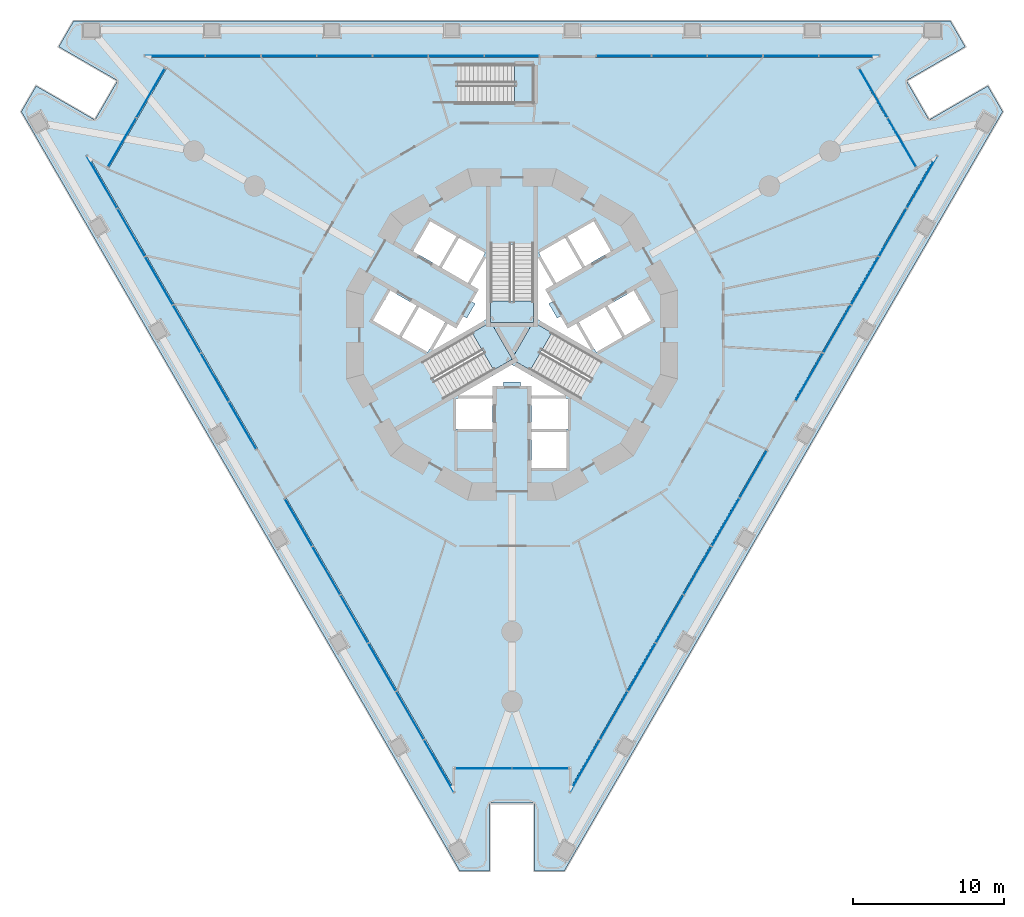
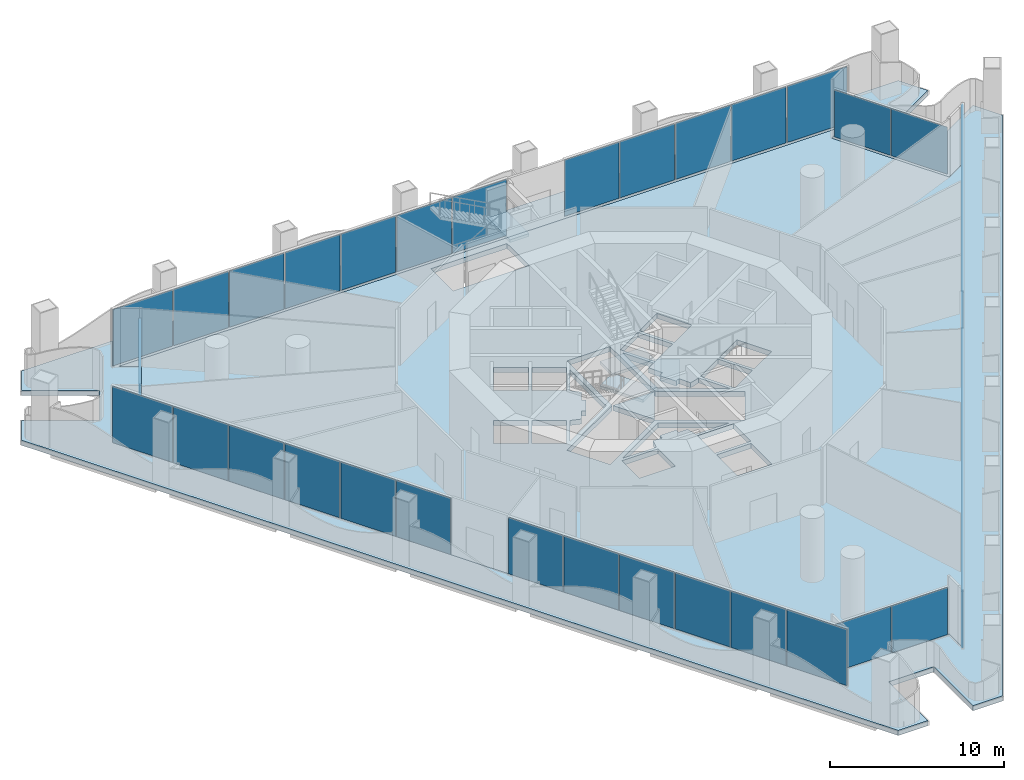
# One storey, part 9 of 21: 42 plates, 7 slabs, 13 elements without a shape of their own.
"""IFC4 building model written with IfcOpenShell, lengths in metres."""

from ifc_helpers import new_model, si_unit, direction, frame, origin, origin_2d, place, context, subcontext, project, spatial, polyline, rectangle, outline, extrude, material, layer, layer_set, type_object, element, aggregate, save


model = new_model("IFC4")

# Units and contexts
model_context = context("Model", 3, precision=1e-05, world=origin(), true_north=direction((0.0, 1.0)))
body_context = subcontext(model_context, "Body", "Model", "MODEL_VIEW")
ifc_project = project(units=[si_unit("LENGTHUNIT", "METRE"), si_unit("AREAUNIT", "SQUARE_METRE"), si_unit("VOLUMEUNIT", "CUBIC_METRE"), si_unit("PLANEANGLEUNIT", "RADIAN"), si_unit("MASSUNIT", "GRAM", prefix="KILO")], contexts=[model_context])

# Site, building, storey
site_placement = place(None, origin())
site = spatial("IfcSite", under=ifc_project, at=site_placement, CompositionType="ELEMENT")
building_placement = place(site_placement, origin())
building = spatial("IfcBuilding", under=site, at=building_placement, Name="Trine Commons Tower", CompositionType="ELEMENT")
storey_placement = place(building_placement, frame((0.0, 0.0, 13.5)))
storey = spatial("IfcBuildingStorey", under=building, at=storey_placement, Name="L02", CompositionType="ELEMENT", Elevation=13.5)

# Curtain wall, plates
ifc_material_1 = material(Name="Corner pocket glazing: anodised aluminium frame with low-emissivity double glazed unit, laminated", Category="aluminium")
ifc_layer_1 = layer(ifc_material_1, 0.179931640625)
ifc_layer_set_1 = layer_set([ifc_layer_1], Name="Corner pocket glazing: anodised aluminium frame with low-emissivity double glazed unit, laminated")
curtain_wall_type_1 = type_object("IfcCurtainWallType", Name="Corner pocket glazing curtain wall CW8", PredefinedType="NOTDEFINED", material=ifc_layer_set_1)
curtain_wall_1_placement = place(storey_placement, origin())
curtain_wall_1 = element("IfcCurtainWall", 1, at=curtain_wall_1_placement, inside=storey, type_object=curtain_wall_type_1, Name="Corner pocket glazing L02 P1.1", PredefinedType="NOTDEFINED")
ifc_material_2 = material(Name="Low-emissivity double glazed unit, laminated")
ifc_layer_2 = layer(ifc_material_2, 0.030029296875)
ifc_layer_set_2 = layer_set([ifc_layer_2], Name="Low-emissivity double glazed unit, laminated")
plate_type_1 = type_object("IfcPlateType", Name="Double glazed unit 30 mm (corner pockets)", PredefinedType="CURTAIN_PANEL", material=ifc_layer_set_2)
plate_1_placement = place(storey_placement, frame((54.15185546875, 75.248291015625, 0.08984375), z_axis=(0.0, 0.0, 1.0), x_axis=(0.5, 0.866025403784, 0.0)))
plate_1 = element("IfcPlate", 2, at=plate_1_placement, type_object=plate_type_1, Name="CW8 panel 1.1", PredefinedType="CURTAIN_PANEL", context=body_context, shape_type="SweptSolid", body=[
    extrude(rectangle(XDim=3.702392578125, YDim=0.030029296875, at=origin_2d()), origin(), (0.0, 0.0, 1.0), 3.300048828125),
])
plate_2_placement = place(storey_placement, frame((56.03564453125, 78.510986328125, 0.08984375), z_axis=(0.0, 0.0, 1.0), x_axis=(0.5, 0.866025403784, 0.0)))
plate_2 = element("IfcPlate", 3, at=plate_2_placement, type_object=plate_type_1, Name="CW8 panel 2.1", PredefinedType="CURTAIN_PANEL", context=body_context, shape_type="SweptSolid", body=[
    extrude(rectangle(XDim=3.702392578125, YDim=0.030029296875, at=origin_2d()), origin(), (0.0, 0.0, 1.0), 3.300048828125),
])
aggregate(curtain_wall_1, [plate_1, plate_2])

curtain_wall_2_placement = place(storey_placement, origin())
curtain_wall_2 = element("IfcCurtainWall", 4, at=curtain_wall_2_placement, inside=storey, type_object=curtain_wall_type_1, Name="Corner pocket glazing L02 P2.1", PredefinedType="NOTDEFINED")
plate_3_placement = place(storey_placement, frame((103.96435546875, 78.510986328125, 0.08984375), z_axis=(0.0, 0.0, 1.0), x_axis=(0.5, -0.866025403784, 0.0)))
plate_3 = element("IfcPlate", 5, at=plate_3_placement, type_object=plate_type_1, Name="CW8 panel 1.1", PredefinedType="CURTAIN_PANEL", context=body_context, shape_type="SweptSolid", body=[
    extrude(rectangle(XDim=3.702392578125, YDim=0.030029296875, at=origin_2d()), origin(), (0.0, 0.0, 1.0), 3.300048828125),
])
plate_4_placement = place(storey_placement, frame((105.84814453125, 75.248291015625, 0.08984375), z_axis=(0.0, 0.0, 1.0), x_axis=(0.5, -0.866025403784, 0.0)))
plate_4 = element("IfcPlate", 6, at=plate_4_placement, type_object=plate_type_1, Name="CW8 panel 2.1", PredefinedType="CURTAIN_PANEL", context=body_context, shape_type="SweptSolid", body=[
    extrude(rectangle(XDim=3.702392578125, YDim=0.030029296875, at=origin_2d()), origin(), (0.0, 0.0, 1.0), 3.300048828125),
])
aggregate(curtain_wall_2, [plate_3, plate_4])

curtain_wall_3_placement = place(storey_placement, origin())
curtain_wall_3 = element("IfcCurtainWall", 7, at=curtain_wall_3_placement, inside=storey, type_object=curtain_wall_type_1, Name="Corner pocket glazing L02 P3.1", PredefinedType="NOTDEFINED")
plate_5_placement = place(storey_placement, frame((81.8837890625, 33.74072265625, 0.08984375), z_axis=(0.0, 0.0, 1.0), x_axis=(-1.0, 0.0, 0.0)))
plate_5 = element("IfcPlate", 8, at=plate_5_placement, type_object=plate_type_1, Name="CW8 panel 1.1", PredefinedType="CURTAIN_PANEL", context=body_context, shape_type="SweptSolid", body=[
    extrude(rectangle(XDim=3.702392578125, YDim=0.030029296875, at=origin_2d()), origin(), (0.0, 0.0, 1.0), 3.300048828125),
])
plate_6_placement = place(storey_placement, frame((78.1162109375, 33.74072265625, 0.08984375), z_axis=(0.0, 0.0, 1.0), x_axis=(-1.0, 0.0, 0.0)))
plate_6 = element("IfcPlate", 9, at=plate_6_placement, type_object=plate_type_1, Name="CW8 panel 2.1", PredefinedType="CURTAIN_PANEL", context=body_context, shape_type="SweptSolid", body=[
    extrude(rectangle(XDim=3.702392578125, YDim=0.030029296875, at=origin_2d()), origin(), (0.0, 0.0, 1.0), 3.300048828125),
])
aggregate(curtain_wall_3, [plate_5, plate_6])

ifc_material_3 = material(Name="Podium glazing: anodised aluminium frame with low-emissivity double glazed unit", Category="aluminium")
ifc_layer_3 = layer(ifc_material_3, 0.199951171875)
ifc_layer_set_3 = layer_set([ifc_layer_3], Name="Podium glazing: anodised aluminium frame with low-emissivity double glazed unit")
curtain_wall_type_2 = type_object("IfcCurtainWallType", Name="Podium glazing curtain wall CW3", PredefinedType="NOTDEFINED", material=ifc_layer_set_3)
curtain_wall_4_placement = place(storey_placement, origin())
curtain_wall_4 = element("IfcCurtainWall", 10, at=curtain_wall_4_placement, inside=storey, type_object=curtain_wall_type_2, Name="Podium glazing L02 F1.1", PredefinedType="NOTDEFINED")
ifc_material_4 = material(Name="Low-emissivity double glazed unit")
ifc_layer_4 = layer(ifc_material_4, 0.031982421875)
ifc_layer_set_4 = layer_set([ifc_layer_4], Name="Low-emissivity double glazed unit")
plate_type_2 = type_object("IfcPlateType", Name="Double glazed unit 32 mm", PredefinedType="CURTAIN_PANEL", material=ifc_layer_set_4)
plate_7_placement = place(storey_placement, frame((57.638427734375, 80.984619140625, 0.10009765625), z_axis=(0.0, 0.0, 1.0), x_axis=(1.0, 0.0, 0.0)))
plate_7 = element("IfcPlate", 11, at=plate_7_placement, type_object=plate_type_2, Name="CW3 panel 1.1", PredefinedType="CURTAIN_PANEL", context=body_context, shape_type="SweptSolid", body=[
    extrude(rectangle(XDim=3.959716796875, YDim=0.031982421875, at=origin_2d()), origin(), (0.0, 0.0, 1.0), 3.949951171875),
])
plate_8_placement = place(storey_placement, frame((61.50537109375, 80.984619140625, 0.10009765625), z_axis=(0.0, 0.0, 1.0), x_axis=(1.0, 0.0, 0.0)))
plate_8 = element("IfcPlate", 12, at=plate_8_placement, type_object=plate_type_2, Name="CW3 panel 2.1", PredefinedType="CURTAIN_PANEL", context=body_context, shape_type="SweptSolid", body=[
    extrude(rectangle(XDim=3.623779296875, YDim=0.031982421875, at=origin_2d()), origin(), (0.0, 0.0, 1.0), 3.949951171875),
])
plate_9_placement = place(storey_placement, frame((65.2041015625, 80.984619140625, 0.10009765625), z_axis=(0.0, 0.0, 1.0), x_axis=(1.0, 0.0, 0.0)))
plate_9 = element("IfcPlate", 13, at=plate_9_placement, type_object=plate_type_2, Name="CW3 panel 3.1", PredefinedType="CURTAIN_PANEL", context=body_context, shape_type="SweptSolid", body=[
    extrude(rectangle(XDim=3.623779296875, YDim=0.031982421875, at=origin_2d()), origin(), (0.0, 0.0, 1.0), 3.949951171875),
])
plate_10_placement = place(storey_placement, frame((68.903076171875, 80.984619140625, 0.10009765625), z_axis=(0.0, 0.0, 1.0), x_axis=(1.0, 0.0, 0.0)))
plate_10 = element("IfcPlate", 14, at=plate_10_placement, type_object=plate_type_2, Name="CW3 panel 4.1", PredefinedType="CURTAIN_PANEL", context=body_context, shape_type="SweptSolid", body=[
    extrude(rectangle(XDim=3.623779296875, YDim=0.031982421875, at=origin_2d()), origin(), (0.0, 0.0, 1.0), 3.949951171875),
])
plate_11_placement = place(storey_placement, frame((72.60205078125, 80.984619140625, 0.10009765625), z_axis=(0.0, 0.0, 1.0), x_axis=(1.0, 0.0, 0.0)))
plate_11 = element("IfcPlate", 15, at=plate_11_placement, type_object=plate_type_2, Name="CW3 panel 5.1", PredefinedType="CURTAIN_PANEL", context=body_context, shape_type="SweptSolid", body=[
    extrude(rectangle(XDim=3.623779296875, YDim=0.031982421875, at=origin_2d()), origin(), (0.0, 0.0, 1.0), 3.949951171875),
])
plate_12_placement = place(storey_placement, frame((76.30078125, 80.984619140625, 0.10009765625), z_axis=(0.0, 0.0, 1.0), x_axis=(1.0, 0.0, 0.0)))
plate_12 = element("IfcPlate", 16, at=plate_12_placement, type_object=plate_type_2, Name="CW3 panel 6.1", PredefinedType="CURTAIN_PANEL", context=body_context, shape_type="SweptSolid", body=[
    extrude(rectangle(XDim=3.623779296875, YDim=0.031982421875, at=origin_2d()), origin(), (0.0, 0.0, 1.0), 3.949951171875),
])
plate_13_placement = place(storey_placement, frame((79.98095703125, 80.984619140625, 0.10009765625), z_axis=(0.0, 0.0, 1.0), x_axis=(1.0, 0.0, 0.0)))
plate_13 = element("IfcPlate", 17, at=plate_13_placement, type_object=plate_type_2, Name="CW3 panel 7.1", PredefinedType="CURTAIN_PANEL", context=body_context, shape_type="SweptSolid", body=[
    extrude(rectangle(XDim=3.58642578125, YDim=0.031982421875, at=origin_2d()), origin(), (0.0, 0.0, 1.0), 3.949951171875),
])
aggregate(curtain_wall_4, [plate_7, plate_8, plate_9, plate_10, plate_11, plate_12, plate_13])

curtain_wall_5_placement = place(storey_placement, origin())
curtain_wall_5 = element("IfcCurtainWall", 18, at=curtain_wall_5_placement, inside=storey, type_object=curtain_wall_type_2, Name="Podium glazing L02 F1.2", PredefinedType="NOTDEFINED")
plate_14_placement = place(storey_placement, frame((87.416259765625, 80.984619140625, 0.10009765625), z_axis=(0.0, 0.0, 1.0), x_axis=(1.0, 0.0, 0.0)))
plate_14 = element("IfcPlate", 19, at=plate_14_placement, type_object=plate_type_2, Name="CW3 panel 1.1", PredefinedType="CURTAIN_PANEL", context=body_context, shape_type="SweptSolid", body=[
    extrude(rectangle(XDim=3.58642578125, YDim=0.031982421875, at=origin_2d()), origin(), (0.0, 0.0, 1.0), 3.949951171875),
])
plate_15_placement = place(storey_placement, frame((91.096435546875, 80.984619140625, 0.10009765625), z_axis=(0.0, 0.0, 1.0), x_axis=(1.0, 0.0, 0.0)))
plate_15 = element("IfcPlate", 20, at=plate_15_placement, type_object=plate_type_2, Name="CW3 panel 2.1", PredefinedType="CURTAIN_PANEL", context=body_context, shape_type="SweptSolid", body=[
    extrude(rectangle(XDim=3.623779296875, YDim=0.031982421875, at=origin_2d()), origin(), (0.0, 0.0, 1.0), 3.949951171875),
])
plate_16_placement = place(storey_placement, frame((94.79541015625, 80.984619140625, 0.10009765625), z_axis=(0.0, 0.0, 1.0), x_axis=(1.0, 0.0, 0.0)))
plate_16 = element("IfcPlate", 21, at=plate_16_placement, type_object=plate_type_2, Name="CW3 panel 3.1", PredefinedType="CURTAIN_PANEL", context=body_context, shape_type="SweptSolid", body=[
    extrude(rectangle(XDim=3.623779296875, YDim=0.031982421875, at=origin_2d()), origin(), (0.0, 0.0, 1.0), 3.949951171875),
])
plate_17_placement = place(storey_placement, frame((98.494384765625, 80.984619140625, 0.10009765625), z_axis=(0.0, 0.0, 1.0), x_axis=(1.0, 0.0, 0.0)))
plate_17 = element("IfcPlate", 22, at=plate_17_placement, type_object=plate_type_2, Name="CW3 panel 4.1", PredefinedType="CURTAIN_PANEL", context=body_context, shape_type="SweptSolid", body=[
    extrude(rectangle(XDim=3.623779296875, YDim=0.031982421875, at=origin_2d()), origin(), (0.0, 0.0, 1.0), 3.949951171875),
])
plate_18_placement = place(storey_placement, frame((102.361328125, 80.984619140625, 0.10009765625), z_axis=(0.0, 0.0, 1.0), x_axis=(1.0, 0.0, 0.0)))
plate_18 = element("IfcPlate", 23, at=plate_18_placement, type_object=plate_type_2, Name="CW3 panel 5.1", PredefinedType="CURTAIN_PANEL", context=body_context, shape_type="SweptSolid", body=[
    extrude(rectangle(XDim=3.960205078125, YDim=0.031982421875, at=origin_2d()), origin(), (0.0, 0.0, 1.0), 3.949951171875),
])
aggregate(curtain_wall_5, [plate_14, plate_15, plate_16, plate_17, plate_18])

curtain_wall_6_placement = place(storey_placement, origin())
curtain_wall_6 = element("IfcCurtainWall", 24, at=curtain_wall_6_placement, inside=storey, type_object=curtain_wall_type_2, Name="Podium glazing L02 F2.1", PredefinedType="NOTDEFINED")
plate_19_placement = place(storey_placement, frame((107.18896484375, 72.623291015625, 0.10009765625), z_axis=(0.0, 0.0, 1.0), x_axis=(-0.5, -0.866025403784, 0.0)))
plate_19 = element("IfcPlate", 25, at=plate_19_placement, type_object=plate_type_2, Name="CW3 panel 1.1", PredefinedType="CURTAIN_PANEL", context=body_context, shape_type="SweptSolid", body=[
    extrude(rectangle(XDim=3.959716796875, YDim=0.031982421875, at=origin_2d()), origin(), (0.0, 0.0, 1.0), 3.949951171875),
])
plate_20_placement = place(storey_placement, frame((105.255615234375, 69.274658203125, 0.10009765625), z_axis=(0.0, 0.0, 1.0), x_axis=(-0.5, -0.866025403784, 0.0)))
plate_20 = element("IfcPlate", 26, at=plate_20_placement, type_object=plate_type_2, Name="CW3 panel 2.1", PredefinedType="CURTAIN_PANEL", context=body_context, shape_type="SweptSolid", body=[
    extrude(rectangle(XDim=3.623779296875, YDim=0.031982421875, at=origin_2d()), origin(), (0.0, 0.0, 1.0), 3.949951171875),
])
plate_21_placement = place(storey_placement, frame((103.406005859375, 66.0712890625, 0.10009765625), z_axis=(0.0, 0.0, 1.0), x_axis=(-0.5, -0.866025403784, 0.0)))
plate_21 = element("IfcPlate", 27, at=plate_21_placement, type_object=plate_type_2, Name="CW3 panel 3.1", PredefinedType="CURTAIN_PANEL", context=body_context, shape_type="SweptSolid", body=[
    extrude(rectangle(XDim=3.623779296875, YDim=0.031982421875, at=origin_2d()), origin(), (0.0, 0.0, 1.0), 3.949951171875),
])
plate_22_placement = place(storey_placement, frame((101.556640625, 62.867919921875, 0.10009765625), z_axis=(0.0, 0.0, 1.0), x_axis=(-0.5, -0.866025403784, 0.0)))
plate_22 = element("IfcPlate", 28, at=plate_22_placement, type_object=plate_type_2, Name="CW3 panel 4.1", PredefinedType="CURTAIN_PANEL", context=body_context, shape_type="SweptSolid", body=[
    extrude(rectangle(XDim=3.623779296875, YDim=0.031982421875, at=origin_2d()), origin(), (0.0, 0.0, 1.0), 3.949951171875),
])
plate_23_placement = place(storey_placement, frame((99.716552734375, 59.680908203125, 0.10009765625), z_axis=(0.0, 0.0, 1.0), x_axis=(-0.5, -0.866025403784, 0.0)))
plate_23 = element("IfcPlate", 29, at=plate_23_placement, type_object=plate_type_2, Name="CW3 panel 5.1", PredefinedType="CURTAIN_PANEL", context=body_context, shape_type="SweptSolid", body=[
    extrude(rectangle(XDim=3.58642578125, YDim=0.031982421875, at=origin_2d()), origin(), (0.0, 0.0, 1.0), 3.949951171875),
])
aggregate(curtain_wall_6, [plate_19, plate_20, plate_21, plate_22, plate_23])

curtain_wall_7_placement = place(storey_placement, origin())
curtain_wall_7 = element("IfcCurtainWall", 30, at=curtain_wall_7_placement, inside=storey, type_object=curtain_wall_type_2, Name="Podium glazing L02 F2.2", PredefinedType="NOTDEFINED")
plate_24_placement = place(storey_placement, frame((95.998779296875, 53.24169921875, 0.10009765625), z_axis=(0.0, 0.0, 1.0), x_axis=(-0.5, -0.866025403784, 0.0)))
plate_24 = element("IfcPlate", 31, at=plate_24_placement, type_object=plate_type_2, Name="CW3 panel 1.1", PredefinedType="CURTAIN_PANEL", context=body_context, shape_type="SweptSolid", body=[
    extrude(rectangle(XDim=3.58642578125, YDim=0.031982421875, at=origin_2d()), origin(), (0.0, 0.0, 1.0), 3.949951171875),
])
plate_25_placement = place(storey_placement, frame((94.15869140625, 50.0546875, 0.10009765625), z_axis=(0.0, 0.0, 1.0), x_axis=(-0.5, -0.866025403784, 0.0)))
plate_25 = element("IfcPlate", 32, at=plate_25_placement, type_object=plate_type_2, Name="CW3 panel 2.1", PredefinedType="CURTAIN_PANEL", context=body_context, shape_type="SweptSolid", body=[
    extrude(rectangle(XDim=3.623779296875, YDim=0.031982421875, at=origin_2d()), origin(), (0.0, 0.0, 1.0), 3.949951171875),
])
plate_26_placement = place(storey_placement, frame((92.309326171875, 46.851318359375, 0.10009765625), z_axis=(0.0, 0.0, 1.0), x_axis=(-0.5, -0.866025403784, 0.0)))
plate_26 = element("IfcPlate", 33, at=plate_26_placement, type_object=plate_type_2, Name="CW3 panel 3.1", PredefinedType="CURTAIN_PANEL", context=body_context, shape_type="SweptSolid", body=[
    extrude(rectangle(XDim=3.623779296875, YDim=0.031982421875, at=origin_2d()), origin(), (0.0, 0.0, 1.0), 3.949951171875),
])
plate_27_placement = place(storey_placement, frame((90.4599609375, 43.64794921875, 0.10009765625), z_axis=(0.0, 0.0, 1.0), x_axis=(-0.5, -0.866025403784, 0.0)))
plate_27 = element("IfcPlate", 34, at=plate_27_placement, type_object=plate_type_2, Name="CW3 panel 4.1", PredefinedType="CURTAIN_PANEL", context=body_context, shape_type="SweptSolid", body=[
    extrude(rectangle(XDim=3.623779296875, YDim=0.031982421875, at=origin_2d()), origin(), (0.0, 0.0, 1.0), 3.949951171875),
])
plate_28_placement = place(storey_placement, frame((88.610595703125, 40.444580078125, 0.10009765625), z_axis=(0.0, 0.0, 1.0), x_axis=(-0.5, -0.866025403784, 0.0)))
plate_28 = element("IfcPlate", 35, at=plate_28_placement, type_object=plate_type_2, Name="CW3 panel 5.1", PredefinedType="CURTAIN_PANEL", context=body_context, shape_type="SweptSolid", body=[
    extrude(rectangle(XDim=3.623779296875, YDim=0.031982421875, at=origin_2d()), origin(), (0.0, 0.0, 1.0), 3.949951171875),
])
plate_29_placement = place(storey_placement, frame((86.760986328125, 37.2412109375, 0.10009765625), z_axis=(0.0, 0.0, 1.0), x_axis=(-0.5, -0.866025403784, 0.0)))
plate_29 = element("IfcPlate", 36, at=plate_29_placement, type_object=plate_type_2, Name="CW3 panel 6.1", PredefinedType="CURTAIN_PANEL", context=body_context, shape_type="SweptSolid", body=[
    extrude(rectangle(XDim=3.623779296875, YDim=0.031982421875, at=origin_2d()), origin(), (0.0, 0.0, 1.0), 3.949951171875),
])
plate_30_placement = place(storey_placement, frame((84.827392578125, 33.892333984375, 0.10009765625), z_axis=(0.0, 0.0, 1.0), x_axis=(-0.5, -0.866025403784, 0.0)))
plate_30 = element("IfcPlate", 37, at=plate_30_placement, type_object=plate_type_2, Name="CW3 panel 7.1", PredefinedType="CURTAIN_PANEL", context=body_context, shape_type="SweptSolid", body=[
    extrude(rectangle(XDim=3.960205078125, YDim=0.031982421875, at=origin_2d()), origin(), (0.0, 0.0, 1.0), 3.949951171875),
])
aggregate(curtain_wall_7, [plate_24, plate_25, plate_26, plate_27, plate_28, plate_29, plate_30])

curtain_wall_8_placement = place(storey_placement, origin())
curtain_wall_8 = element("IfcCurtainWall", 38, at=curtain_wall_8_placement, inside=storey, type_object=curtain_wall_type_2, Name="Podium glazing L02 F3.1", PredefinedType="NOTDEFINED")
plate_31_placement = place(storey_placement, frame((75.172607421875, 33.89208984375, 0.10009765625), z_axis=(0.0, 0.0, 1.0), x_axis=(-0.5, 0.866025403784, 0.0)))
plate_31 = element("IfcPlate", 39, at=plate_31_placement, type_object=plate_type_2, Name="CW3 panel 1.1", PredefinedType="CURTAIN_PANEL", context=body_context, shape_type="SweptSolid", body=[
    extrude(rectangle(XDim=3.959716796875, YDim=0.031982421875, at=origin_2d()), origin(), (0.0, 0.0, 1.0), 3.949951171875),
])
plate_32_placement = place(storey_placement, frame((73.2392578125, 37.24072265625, 0.10009765625), z_axis=(0.0, 0.0, 1.0), x_axis=(-0.5, 0.866025403784, 0.0)))
plate_32 = element("IfcPlate", 40, at=plate_32_placement, type_object=plate_type_2, Name="CW3 panel 2.1", PredefinedType="CURTAIN_PANEL", context=body_context, shape_type="SweptSolid", body=[
    extrude(rectangle(XDim=3.623779296875, YDim=0.031982421875, at=origin_2d()), origin(), (0.0, 0.0, 1.0), 3.949951171875),
])
plate_33_placement = place(storey_placement, frame((71.389892578125, 40.444091796875, 0.10009765625), z_axis=(0.0, 0.0, 1.0), x_axis=(-0.5, 0.866025403784, 0.0)))
plate_33 = element("IfcPlate", 41, at=plate_33_placement, type_object=plate_type_2, Name="CW3 panel 3.1", PredefinedType="CURTAIN_PANEL", context=body_context, shape_type="SweptSolid", body=[
    extrude(rectangle(XDim=3.623779296875, YDim=0.031982421875, at=origin_2d()), origin(), (0.0, 0.0, 1.0), 3.949951171875),
])
plate_34_placement = place(storey_placement, frame((69.540283203125, 43.6474609375, 0.10009765625), z_axis=(0.0, 0.0, 1.0), x_axis=(-0.5, 0.866025403784, 0.0)))
plate_34 = element("IfcPlate", 42, at=plate_34_placement, type_object=plate_type_2, Name="CW3 panel 4.1", PredefinedType="CURTAIN_PANEL", context=body_context, shape_type="SweptSolid", body=[
    extrude(rectangle(XDim=3.623779296875, YDim=0.031982421875, at=origin_2d()), origin(), (0.0, 0.0, 1.0), 3.949951171875),
])
plate_35_placement = place(storey_placement, frame((67.69091796875, 46.850830078125, 0.10009765625), z_axis=(0.0, 0.0, 1.0), x_axis=(-0.5, 0.866025403784, 0.0)))
plate_35 = element("IfcPlate", 43, at=plate_35_placement, type_object=plate_type_2, Name="CW3 panel 5.1", PredefinedType="CURTAIN_PANEL", context=body_context, shape_type="SweptSolid", body=[
    extrude(rectangle(XDim=3.623779296875, YDim=0.031982421875, at=origin_2d()), origin(), (0.0, 0.0, 1.0), 3.949951171875),
])
plate_36_placement = place(storey_placement, frame((65.850830078125, 50.037841796875, 0.10009765625), z_axis=(0.0, 0.0, 1.0), x_axis=(-0.5, 0.866025403784, 0.0)))
plate_36 = element("IfcPlate", 44, at=plate_36_placement, type_object=plate_type_2, Name="CW3 panel 6.1", PredefinedType="CURTAIN_PANEL", context=body_context, shape_type="SweptSolid", body=[
    extrude(rectangle(XDim=3.58642578125, YDim=0.031982421875, at=origin_2d()), origin(), (0.0, 0.0, 1.0), 3.949951171875),
])
aggregate(curtain_wall_8, [plate_31, plate_32, plate_33, plate_34, plate_35, plate_36])

curtain_wall_9_placement = place(storey_placement, origin())
curtain_wall_9 = element("IfcCurtainWall", 45, at=curtain_wall_9_placement, inside=storey, type_object=curtain_wall_type_2, Name="Podium glazing L02 F3.2", PredefinedType="NOTDEFINED")
plate_37_placement = place(storey_placement, frame((62.133056640625, 56.47705078125, 0.10009765625), z_axis=(0.0, 0.0, 1.0), x_axis=(-0.5, 0.866025403784, 0.0)))
plate_37 = element("IfcPlate", 46, at=plate_37_placement, type_object=plate_type_2, Name="CW3 panel 1.1", PredefinedType="CURTAIN_PANEL", context=body_context, shape_type="SweptSolid", body=[
    extrude(rectangle(XDim=3.58642578125, YDim=0.031982421875, at=origin_2d()), origin(), (0.0, 0.0, 1.0), 3.949951171875),
])
plate_38_placement = place(storey_placement, frame((60.293212890625, 59.664306640625, 0.10009765625), z_axis=(0.0, 0.0, 1.0), x_axis=(-0.5, 0.866025403784, 0.0)))
plate_38 = element("IfcPlate", 47, at=plate_38_placement, type_object=plate_type_2, Name="CW3 panel 2.1", PredefinedType="CURTAIN_PANEL", context=body_context, shape_type="SweptSolid", body=[
    extrude(rectangle(XDim=3.623779296875, YDim=0.031982421875, at=origin_2d()), origin(), (0.0, 0.0, 1.0), 3.949951171875),
])
plate_39_placement = place(storey_placement, frame((58.443603515625, 62.867431640625, 0.10009765625), z_axis=(0.0, 0.0, 1.0), x_axis=(-0.5, 0.866025403784, 0.0)))
plate_39 = element("IfcPlate", 48, at=plate_39_placement, type_object=plate_type_2, Name="CW3 panel 3.1", PredefinedType="CURTAIN_PANEL", context=body_context, shape_type="SweptSolid", body=[
    extrude(rectangle(XDim=3.623779296875, YDim=0.031982421875, at=origin_2d()), origin(), (0.0, 0.0, 1.0), 3.949951171875),
])
plate_40_placement = place(storey_placement, frame((56.59423828125, 66.07080078125, 0.10009765625), z_axis=(0.0, 0.0, 1.0), x_axis=(-0.5, 0.866025403784, 0.0)))
plate_40 = element("IfcPlate", 49, at=plate_40_placement, type_object=plate_type_2, Name="CW3 panel 4.1", PredefinedType="CURTAIN_PANEL", context=body_context, shape_type="SweptSolid", body=[
    extrude(rectangle(XDim=3.623779296875, YDim=0.031982421875, at=origin_2d()), origin(), (0.0, 0.0, 1.0), 3.949951171875),
])
plate_41_placement = place(storey_placement, frame((54.74462890625, 69.274169921875, 0.10009765625), z_axis=(0.0, 0.0, 1.0), x_axis=(-0.5, 0.866025403784, 0.0)))
plate_41 = element("IfcPlate", 50, at=plate_41_placement, type_object=plate_type_2, Name="CW3 panel 5.1", PredefinedType="CURTAIN_PANEL", context=body_context, shape_type="SweptSolid", body=[
    extrude(rectangle(XDim=3.623779296875, YDim=0.031982421875, at=origin_2d()), origin(), (0.0, 0.0, 1.0), 3.949951171875),
])
plate_42_placement = place(storey_placement, frame((52.811279296875, 72.623046875, 0.10009765625), z_axis=(0.0, 0.0, 1.0), x_axis=(-0.5, 0.866025403784, 0.0)))
plate_42 = element("IfcPlate", 51, at=plate_42_placement, type_object=plate_type_2, Name="CW3 panel 6.1", PredefinedType="CURTAIN_PANEL", context=body_context, shape_type="SweptSolid", body=[
    extrude(rectangle(XDim=3.960205078125, YDim=0.031982421875, at=origin_2d()), origin(), (0.0, 0.0, 1.0), 3.949951171875),
])
aggregate(curtain_wall_9, [plate_37, plate_38, plate_39, plate_40, plate_41, plate_42])

# Slabs
ifc_material_5 = material(Name="Concrete C50/60", Category="concrete")
ifc_layer_5 = layer(ifc_material_5, 0.35009765625)
ifc_layer_set_5 = layer_set([ifc_layer_5], Name="Concrete C50/60")
slab_type_1 = type_object("IfcSlabType", Name="Loggia slab 350 mm, C50/60", PredefinedType="FLOOR", material=ifc_layer_set_5)
slab_1_placement = place(storey_placement, frame((0.0, 0.0, -0.35009765625)))
element("IfcSlab", 52, at=slab_1_placement, inside=storey, type_object=slab_type_1, Name="Loggia slab L02", PredefinedType="FLOOR", context=body_context, shape_type="SweptSolid", body=[
    extrude(outline(polyline([(83.464111328125, 26.930908203125), (112.535888671875, 77.28466796875), (111.5537109375, 78.985595703125), (107.65673828125, 76.735595703125), (106.15673828125, 79.33349609375), (110.0537109375, 81.58349609375), (109.07177734375, 83.28466796875), (50.92822265625, 83.28466796875), (49.9462890625, 81.58349609375), (53.84326171875, 79.33349609375), (52.34326171875, 76.735595703125), (48.4462890625, 78.985595703125), (47.464111328125, 77.28466796875), (76.535888671875, 26.930908203125), (78.5, 26.930908203125), (78.5, 31.430908203125), (81.5, 31.430908203125), (81.5, 26.930908203125), (83.464111328125, 26.930908203125)]), holes=[polyline([(76.10009765625, 32.48583984375), (76.10009765625, 33.830810546875), (83.89990234375, 33.830810546875), (83.89990234375, 32.48583984375), (107.943115234375, 74.129638671875), (106.7783203125, 73.45703125), (102.87841796875, 80.212158203125), (104.043212890625, 80.884521484375), (55.956787109375, 80.884521484375), (57.12158203125, 80.212158203125), (53.2216796875, 73.45703125), (52.056884765625, 74.129638671875), (76.10009765625, 32.48583984375)])]), origin(), (0.0, 0.0, 1.0), 0.35009765625),
])
ifc_layer_6 = layer(ifc_material_5, 0.35009765625)
ifc_layer_set_6 = layer_set([ifc_layer_6], Name="Concrete C50/60")
slab_type_2 = type_object("IfcSlabType", Name="Podium PT slab 350 mm, C50/60", PredefinedType="FLOOR", material=ifc_layer_set_6)
slab_2_placement = place(storey_placement, frame((0.0, 0.0, -0.35009765625)))
element("IfcSlab", 53, at=slab_2_placement, inside=storey, type_object=slab_type_2, Name="Floor slab L02", PredefinedType="FLOOR", context=body_context, shape_type="SweptSolid", body=[
    extrude(outline(polyline([(52.056884765625, 74.129638671875), (76.10009765625, 32.48583984375), (76.10009765625, 33.830810546875), (83.89990234375, 33.830810546875), (83.89990234375, 32.48583984375), (107.943115234375, 74.129638671875), (106.7783203125, 73.45703125), (102.87841796875, 80.212158203125), (104.043212890625, 80.884521484375), (55.956787109375, 80.884521484375), (57.12158203125, 80.212158203125), (53.2216796875, 73.45703125), (52.056884765625, 74.129638671875)]), holes=[polyline([(76.300048828125, 56.25), (78.699951171875, 56.25), (78.699951171875, 58.25), (76.300048828125, 58.25), (76.300048828125, 56.25)]), polyline([(80.0, 60.8544921875), (84.4755859375, 58.2705078125), (85.900390625, 60.73876953125), (81.425048828125, 63.32275390625), (81.425048828125, 68.490478515625), (78.574951171875, 68.490478515625), (78.574951171875, 63.32275390625), (74.099609375, 60.73876953125), (75.5244140625, 58.2705078125), (80.0, 60.8544921875)]), polyline([(73.83740234375, 64.325927734375), (72.687255859375, 62.333984375), (74.41943359375, 61.333984375), (75.5693359375, 63.325927734375), (73.83740234375, 64.325927734375)]), polyline([(71.93212890625, 65.426025390625), (70.781982421875, 63.43408203125), (72.51416015625, 62.43408203125), (73.6640625, 64.426025390625), (71.93212890625, 65.426025390625)]), polyline([(76.781005859375, 63.722900390625), (76.381103515625, 63.031005859375), (75.742919921875, 63.22607421875), (74.7099609375, 61.43798828125), (78.27490234375, 63.49609375), (78.27490234375, 67.612060546875), (77.242919921875, 65.823974609375), (77.73095703125, 65.368896484375), (77.3310546875, 64.676025390625), (77.555908203125, 64.5458984375), (77.006103515625, 63.593994140625), (76.781005859375, 63.722900390625)]), polyline([(76.4873046875, 68.916015625), (75.33740234375, 66.924072265625), (77.0693359375, 65.924072265625), (78.219482421875, 67.916015625), (76.4873046875, 68.916015625)]), polyline([(76.314208984375, 69.015869140625), (74.58203125, 70.015869140625), (73.43212890625, 68.02392578125), (75.1640625, 67.02392578125), (76.314208984375, 69.015869140625)]), polyline([(76.419921875, 77.8349609375), (81.4599609375, 77.8349609375), (81.4599609375, 80.385009765625), (76.419921875, 80.385009765625), (76.419921875, 77.8349609375)]), polyline([(81.300048828125, 53.64990234375), (83.60009765625, 53.64990234375), (83.60009765625, 56.050048828125), (81.300048828125, 56.050048828125), (81.300048828125, 53.64990234375)]), polyline([(81.300048828125, 56.25), (83.699951171875, 56.25), (83.699951171875, 58.25), (81.300048828125, 58.25), (81.300048828125, 56.25)]), polyline([(81.14990234375, 59.10009765625), (81.300048828125, 58.449951171875), (83.56494140625, 58.449951171875), (80.0, 60.508056640625), (76.43505859375, 58.449951171875), (78.699951171875, 58.449951171875), (78.85009765625, 59.10009765625), (79.449951171875, 59.10009765625), (79.449951171875, 59.360107421875), (80.550048828125, 59.360107421875), (80.550048828125, 59.10009765625), (81.14990234375, 59.10009765625)]), polyline([(87.312744140625, 62.333984375), (86.16259765625, 64.325927734375), (84.4306640625, 63.325927734375), (85.58056640625, 61.333984375), (87.312744140625, 62.333984375)]), polyline([(89.218017578125, 63.43408203125), (88.06787109375, 65.426025390625), (86.3359375, 64.426025390625), (87.48583984375, 62.43408203125), (89.218017578125, 63.43408203125)]), polyline([(83.243896484375, 63.738037109375), (82.993896484375, 63.593994140625), (82.444091796875, 64.5458984375), (82.72705078125, 64.7099609375), (82.281005859375, 65.549072265625), (82.757080078125, 65.823974609375), (81.72509765625, 67.612060546875), (81.72509765625, 63.49609375), (85.2900390625, 61.43798828125), (84.257080078125, 63.22607421875), (83.618896484375, 63.031005859375), (83.243896484375, 63.738037109375)]), polyline([(82.9306640625, 65.924072265625), (84.66259765625, 66.924072265625), (83.5126953125, 68.916015625), (81.780517578125, 67.916015625), (82.9306640625, 65.924072265625)]), polyline([(84.8359375, 67.02392578125), (86.56787109375, 68.02392578125), (85.41796875, 70.015869140625), (83.685791015625, 69.015869140625), (84.8359375, 67.02392578125)])]), origin(), (0.0, 0.0, 1.0), 0.35009765625),
])
slab_3_placement = place(storey_placement, frame((0.0, 0.0, -0.35009765625)))
element("IfcSlab", 54, at=slab_3_placement, inside=storey, type_object=slab_type_2, Name="Floor slab L02 2", PredefinedType="FLOOR", context=body_context, shape_type="SweptSolid", body=[
    extrude(outline(polyline([(78.61328125, 63.300537109375), (80.0, 60.89892578125), (81.38671875, 63.300537109375), (78.61328125, 63.300537109375)])), origin(), (0.0, 0.0, 1.0), 0.35009765625),
])

# Stair, slab
ifc_material_6 = material(Name="Concrete C40/50", Category="concrete")
stair_type_1 = type_object("IfcStairType", Name="Podium stair, dog-leg 1200 mm, C40/50", PredefinedType="HALF_TURN_STAIR", material=ifc_material_6)
stair_1_placement = place(storey_placement, origin())
stair_1 = element("IfcStair", 55, at=stair_1_placement, inside=storey, type_object=stair_type_1, Name="L02 Podium stair", PredefinedType="HALF_TURN_STAIR")
ifc_layer_7 = layer(ifc_material_6, 0.199951171875)
ifc_layer_set_7 = layer_set([ifc_layer_7], Name="Concrete C40/50")
slab_type_3 = type_object("IfcSlabType", Name="Podium stair landing 200 mm, C40/50", PredefinedType="LANDING", material=ifc_layer_set_7)
slab_4_placement = place(storey_placement, frame((0.0, 0.0, 2.050048828125)))
slab_4 = element("IfcSlab", 56, at=slab_4_placement, type_object=slab_type_3, Name="PS1 landing 1", PredefinedType="LANDING", context=body_context, shape_type="SweptSolid", body=[
    extrude(outline(polyline([(80.179931640625, 77.8349609375), (81.4599609375, 77.8349609375), (81.4599609375, 80.385009765625), (80.179931640625, 80.385009765625), (80.179931640625, 77.8349609375)])), origin(), (0.0, 0.0, 1.0), 0.199951171875),
])
aggregate(stair_1, [slab_4])

stair_type_2 = type_object("IfcStairType", Name="Exit stair, dog-leg, 30 risers of 150 mm", PredefinedType="HALF_TURN_STAIR", material=ifc_material_5)
stair_2_placement = place(storey_placement, origin())
stair_2 = element("IfcStair", 57, at=stair_2_placement, inside=storey, type_object=stair_type_2, Name="L02 Exit stair ST1A", PredefinedType="HALF_TURN_STAIR")
ifc_layer_8 = layer(ifc_material_5, 0.199951171875)
ifc_layer_set_8 = layer_set([ifc_layer_8], Name="Concrete C50/60")
slab_type_4 = type_object("IfcSlabType", Name="Stair landing slab 200 mm, C50/60", PredefinedType="LANDING", material=ifc_layer_set_8)
slab_5_placement = place(storey_placement, frame((0.0, 0.0, 2.050048828125)))
slab_5 = element("IfcSlab", 58, at=slab_5_placement, type_object=slab_type_4, Name="ST1A landing 1", PredefinedType="LANDING", context=body_context, shape_type="SweptSolid", body=[
    extrude(outline(polyline([(78.574951171875, 64.730712890625), (78.574951171875, 63.300537109375), (81.425048828125, 63.300537109375), (81.425048828125, 64.730712890625), (78.574951171875, 64.730712890625)])), origin(), (0.0, 0.0, 1.0), 0.199951171875),
])
aggregate(stair_2, [slab_5])

stair_3_placement = place(storey_placement, origin())
stair_3 = element("IfcStair", 59, at=stair_3_placement, inside=storey, type_object=stair_type_2, Name="L02 Exit stair ST2A", PredefinedType="HALF_TURN_STAIR")
slab_6_placement = place(storey_placement, frame((0.0, 0.0, 2.050048828125)))
slab_6 = element("IfcSlab", 60, at=slab_6_placement, type_object=slab_type_4, Name="ST2A landing 1", PredefinedType="LANDING", context=body_context, shape_type="SweptSolid", body=[
    extrude(outline(polyline([(78.78076171875, 60.150634765625), (80.019287109375, 60.86572265625), (78.59423828125, 63.333740234375), (77.355712890625, 62.618896484375), (78.78076171875, 60.150634765625)])), origin(), (0.0, 0.0, 1.0), 0.199951171875),
])
aggregate(stair_3, [slab_6])

stair_4_placement = place(storey_placement, origin())
stair_4 = element("IfcStair", 61, at=stair_4_placement, inside=storey, type_object=stair_type_2, Name="L02 Exit stair ST3A", PredefinedType="HALF_TURN_STAIR")
slab_7_placement = place(storey_placement, frame((0.0, 0.0, 2.050048828125)))
slab_7 = element("IfcSlab", 62, at=slab_7_placement, type_object=slab_type_4, Name="ST3A landing 1", PredefinedType="LANDING", context=body_context, shape_type="SweptSolid", body=[
    extrude(outline(polyline([(82.644287109375, 62.618896484375), (81.40576171875, 63.333740234375), (79.980712890625, 60.86572265625), (81.21923828125, 60.150634765625), (82.644287109375, 62.618896484375)])), origin(), (0.0, 0.0, 1.0), 0.199951171875),
])
aggregate(stair_4, [slab_7])

save(model, "model.ifc")
